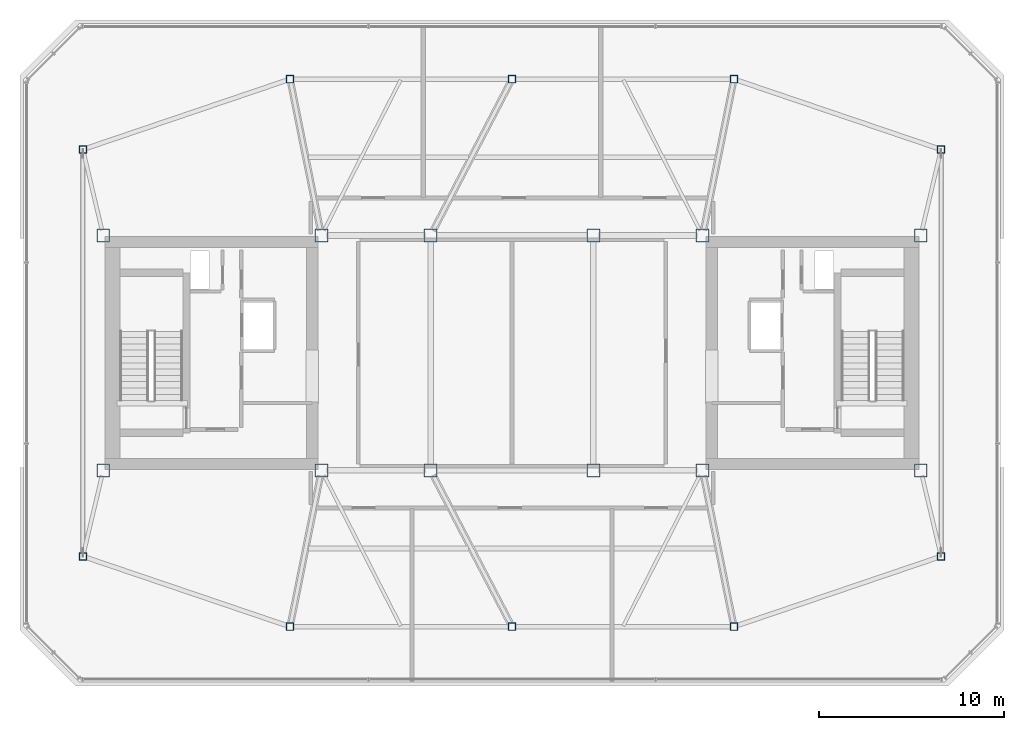
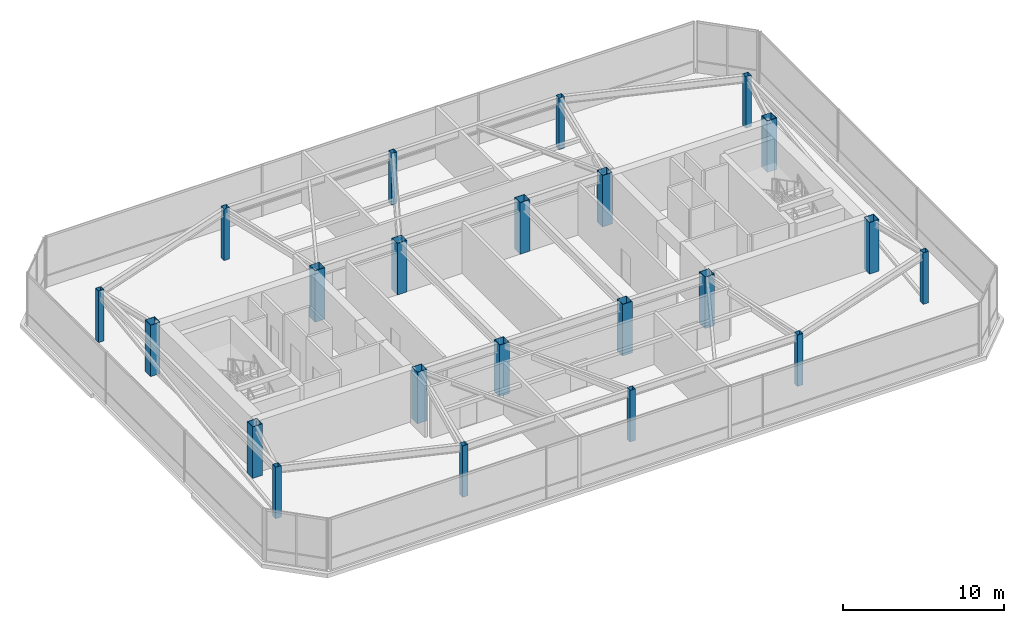
# One storey, part 1 of 21: 22 columns.
"""IFC4 building model written with IfcOpenShell, lengths in metres."""

from ifc_helpers import new_model, si_unit, direction, frame, origin, origin_2d, place, context, subcontext, project, spatial, hollow_rectangle, extrude, material, material_profile, profile_set, type_object, element, save


model = new_model("IFC4")

# Units and contexts
model_context = context("Model", 3, precision=1e-05, world=origin(), true_north=direction((0.0, 1.0)))
body_context = subcontext(model_context, "Body", "Model", "MODEL_VIEW")
ifc_project = project(units=[si_unit("LENGTHUNIT", "METRE"), si_unit("AREAUNIT", "SQUARE_METRE"), si_unit("VOLUMEUNIT", "CUBIC_METRE"), si_unit("PLANEANGLEUNIT", "RADIAN"), si_unit("MASSUNIT", "GRAM", prefix="KILO")], contexts=[model_context])

# Site, building, storey
site_placement = place(None, origin())
site = spatial("IfcSite", under=ifc_project, at=site_placement, CompositionType="ELEMENT")
building_placement = place(site_placement, origin())
building = spatial("IfcBuilding", under=site, at=building_placement, Name="Tavrogorsk Clinical Tower", CompositionType="ELEMENT")
storey_placement = place(building_placement, frame((0.0, 0.0, 348.60009765625)))
storey = spatial("IfcBuildingStorey", under=building, at=storey_placement, Name="L81", CompositionType="ELEMENT", Elevation=348.60009765625)

# Columns
ifc_material_1 = material(Name="Structural steel S390", Category="steel")
ifc_material_profile_1 = material_profile(ifc_material_1, hollow_rectangle(XDim=0.39990234375, YDim=0.39990234375, WallThickness=0.02001953125, at=origin_2d()), Name="SHS-400x400x20")
ifc_profile_set_1 = profile_set([ifc_material_profile_1], Name="Structural steel S390")
column_type_1 = type_object("IfcColumnType", Name="CrownCol_SHS400", PredefinedType="COLUMN", material=ifc_profile_set_1)
for number, where, z_axis, x_axis, name in (
    (1, (-23.199951171875, -11.0, 0.0), (0.0, 0.0, 1.0), (1.0, 0.0, 0.0), "L81 Crown Column CRN-01"),
    (2, (23.199951171875, -11.0, 0.0), (0.0, 0.0, 1.0), (1.0, 0.0, 0.0), "L81 Crown Column CRN-02"),
    (3, (23.199951171875, 11.0, 0.0), (0.0, 0.0, 1.0), (1.0, 0.0, 0.0), "L81 Crown Column CRN-03"),
    (4, (-23.199951171875, 11.0, 0.0), (0.0, 0.0, 1.0), (1.0, 0.0, 0.0), "L81 Crown Column CRN-04"),
    (5, (-12.0, -14.800048828125, 0.0), (0.0, 0.0, 1.0), (1.0, 0.0, 0.0), "L81 Crown Column CRN-05"),
    (6, (0.0, -14.800048828125, 0.0), (0.0, 0.0, 1.0), (1.0, 0.0, 0.0), "L81 Crown Column CRN-06"),
    (7, (12.0, -14.800048828125, 0.0), (0.0, 0.0, 1.0), (1.0, 0.0, 0.0), "L81 Crown Column CRN-07"),
    (8, (-12.0, 14.800048828125, 0.0), (0.0, 0.0, 1.0), (1.0, 0.0, 0.0), "L81 Crown Column CRN-08"),
    (9, (0.0, 14.800048828125, 0.0), (0.0, 0.0, 1.0), (1.0, 0.0, 0.0), "L81 Crown Column CRN-09"),
    (10, (12.0, 14.800048828125, 0.0), (0.0, 0.0, 1.0), (1.0, 0.0, 0.0), "L81 Crown Column CRN-10"),
):
    element("IfcColumn", number, at=place(storey_placement, frame(where, z_axis=z_axis, x_axis=x_axis)), inside=storey, type_object=column_type_1, Name=name, PredefinedType="COLUMN", context=body_context, shape_type="SweptSolid", body=[
        extrude(hollow_rectangle(XDim=0.39990234375, YDim=0.39990234375, WallThickness=0.02001953125, at=origin_2d()), origin(), (0.0, 0.0, 1.0), 3.89990234375),
    ])
ifc_material_2 = material(Name="Structural steel S440", Category="steel")
ifc_material_profile_2 = material_profile(ifc_material_2, hollow_rectangle(XDim=0.699951171875, YDim=0.699951171875, WallThickness=0.031982421875, at=origin_2d()), Name="BOX-700x700x32")
ifc_profile_set_2 = profile_set([ifc_material_profile_2], Name="Structural steel S440")
column_type_2 = type_object("IfcColumnType", Name="MegaCol_BOX700", PredefinedType="COLUMN", material=ifc_profile_set_2)
for number, where, z_axis, x_axis, name in (
    (11, (-22.10009765625, -6.35009765625, 0.0), (0.0, 0.0, 1.0), (1.0, 0.0, 0.0), "L81 Mega Column MC-W1"),
    (12, (-22.10009765625, 6.35009765625, 0.0), (0.0, 0.0, 1.0), (1.0, 0.0, 0.0), "L81 Mega Column MC-W2"),
    (13, (-10.300048828125, -6.35009765625, 0.0), (0.0, 0.0, 1.0), (1.0, 0.0, 0.0), "L81 Mega Column MC-W3"),
    (14, (-10.300048828125, 6.35009765625, 0.0), (0.0, 0.0, 1.0), (1.0, 0.0, 0.0), "L81 Mega Column MC-W4"),
    (15, (10.300048828125, -6.35009765625, 0.0), (0.0, 0.0, 1.0), (1.0, 0.0, 0.0), "L81 Mega Column MC-E1"),
    (16, (10.300048828125, 6.35009765625, 0.0), (0.0, 0.0, 1.0), (1.0, 0.0, 0.0), "L81 Mega Column MC-E2"),
    (17, (22.10009765625, -6.35009765625, 0.0), (0.0, 0.0, 1.0), (1.0, 0.0, 0.0), "L81 Mega Column MC-E3"),
    (18, (22.10009765625, 6.35009765625, 0.0), (0.0, 0.0, 1.0), (1.0, 0.0, 0.0), "L81 Mega Column MC-E4"),
    (19, (-4.39990234375, -6.35009765625, 0.0), (0.0, 0.0, 1.0), (1.0, 0.0, 0.0), "L81 Mega Column MC-C1"),
    (20, (4.39990234375, -6.35009765625, 0.0), (0.0, 0.0, 1.0), (1.0, 0.0, 0.0), "L81 Mega Column MC-C2"),
    (21, (-4.39990234375, 6.35009765625, 0.0), (0.0, 0.0, 1.0), (1.0, 0.0, 0.0), "L81 Mega Column MC-C3"),
    (22, (4.39990234375, 6.35009765625, 0.0), (0.0, 0.0, 1.0), (1.0, 0.0, 0.0), "L81 Mega Column MC-C4"),
):
    element("IfcColumn", number, at=place(storey_placement, frame(where, z_axis=z_axis, x_axis=x_axis)), inside=storey, type_object=column_type_2, Name=name, PredefinedType="COLUMN", context=body_context, shape_type="SweptSolid", body=[
        extrude(hollow_rectangle(XDim=0.699951171875, YDim=0.699951171875, WallThickness=0.031982421875, at=origin_2d()), origin(), (0.0, 0.0, 1.0), 3.89990234375),
    ])

save(model, "model.ifc")
